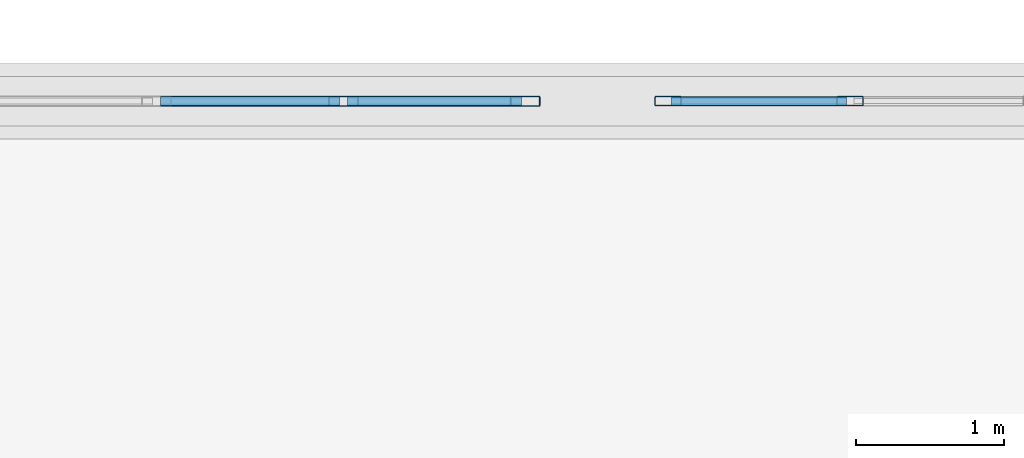
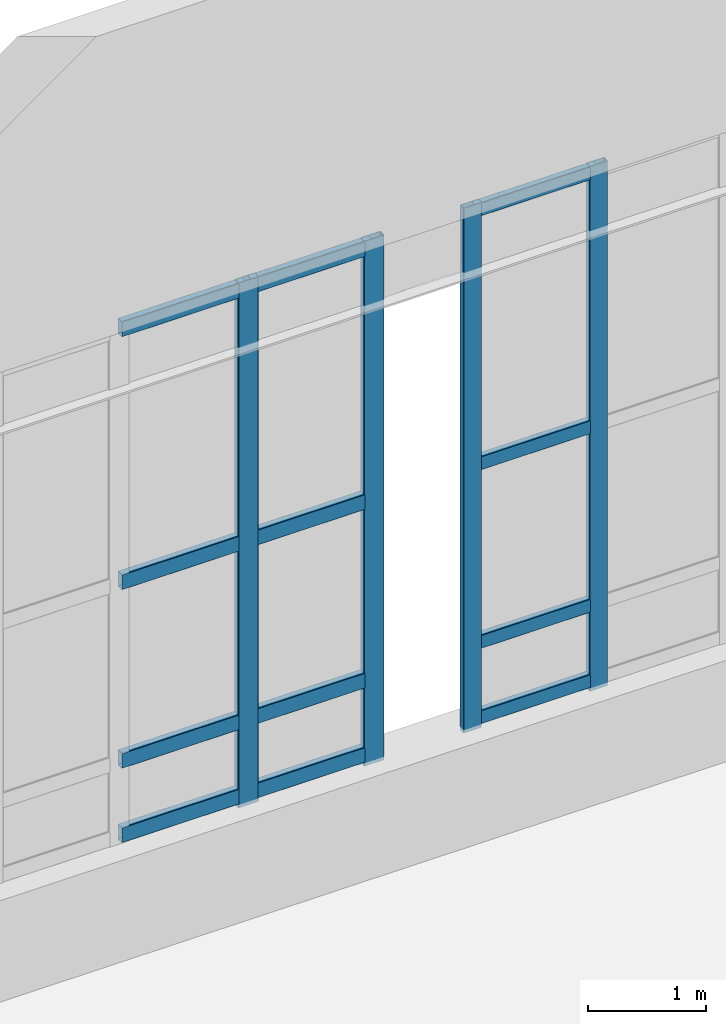
# One storey, part 149 of 197: 16 members, 2 elements without a shape of their own.
"""IFC4 building model written with IfcOpenShell, lengths in metres."""

from ifc_helpers import new_model, si_unit, derived_unit, direction, frame, origin, origin_2d, place, context, subcontext, project, spatial, hollow_rectangle, extrude, material, layer, layer_set, material_profile, profile_set, type_object, element, aggregate, save


model = new_model("IFC4")

# Units and contexts
model_context = context("Model", 3, precision=1e-05, world=origin(), true_north=direction((0.0, 1.0)))
body_context = subcontext(model_context, "Body", "Model", "MODEL_VIEW")
ifc_project = project(units=[si_unit("LENGTHUNIT", "METRE"), si_unit("AREAUNIT", "SQUARE_METRE"), si_unit("VOLUMEUNIT", "CUBIC_METRE"), si_unit("PLANEANGLEUNIT", "RADIAN"), si_unit("MASSUNIT", "GRAM", prefix="KILO"), derived_unit("THERMALTRANSMITTANCEUNIT", [(si_unit("POWERUNIT", "WATT"), 1), (si_unit("LENGTHUNIT", "METRE"), -2), (si_unit("THERMODYNAMICTEMPERATUREUNIT", "KELVIN"), -1)])], contexts=[model_context])

# Site, building, storey
site_placement = place(None, origin())
site = spatial("IfcSite", under=ifc_project, at=site_placement, CompositionType="ELEMENT")
building_placement = place(site_placement, origin())
building = spatial("IfcBuilding", under=site, at=building_placement, Name="Almenara Railside Exhibition Hall", CompositionType="ELEMENT")
storey_placement = place(building_placement, frame((0.0, 0.0, 5.39990234375)))
storey = spatial("IfcBuildingStorey", under=building, at=storey_placement, Name="L01", CompositionType="ELEMENT", Elevation=5.39990234375)

# Curtain wall, members
ifc_material_1 = material(Name="Bronze-anodised aluminium and low-E double glazing", Category="aluminium")
ifc_layer = layer(ifc_material_1, 0.179931640625, Name="Bronze-anodised aluminium and low-E double glazing")
ifc_layer_set = layer_set([ifc_layer], Name="Bronze-anodised aluminium and low-E double glazing")
curtain_wall_type = type_object("IfcCurtainWallType", Name="Scroll Gable Tall Curtain Wall 3800x5400", PredefinedType="NOTDEFINED", material=ifc_layer_set)
curtain_wall_1_placement = place(storey_placement, origin())
curtain_wall_1 = element("IfcCurtainWall", 1, at=curtain_wall_1_placement, inside=storey, type_object=curtain_wall_type, Name="Curtain wall CW-G1-089", PredefinedType="NOTDEFINED")
ifc_material_2 = material(Name="Bronze-anodised aluminium", Category="aluminium")
ifc_material_profile_1 = material_profile(ifc_material_2, hollow_rectangle(XDim=0.06494140625, YDim=0.179931640625, WallThickness=0.00390625, InnerFilletRadius=0.00390625, OuterFilletRadius=0.008056640625, at=origin_2d()), Name="ALU-MUL 65x180x4")
ifc_profile_set_1 = profile_set([ifc_material_profile_1], Name="Bronze-anodised aluminium")
member_type_1 = type_object("IfcMemberType", Name="Curtain Wall Mullion 65x180x4", PredefinedType="MULLION", material=ifc_profile_set_1)
member_1_placement = place(storey_placement, frame((163.532470703125, 132.0, 1.01513671875), z_axis=(0.0, 0.0, 1.0), x_axis=(0.0, 1.0, 0.0)))
member_1 = element("IfcMember", 2, at=member_1_placement, type_object=member_type_1, Name="CW-G1-089 mullion 1", PredefinedType="MULLION", context=body_context, shape_type="SweptSolid", body=[
    extrude(hollow_rectangle(XDim=0.06494140625, YDim=0.179931640625, WallThickness=0.00390625, InnerFilletRadius=0.00390625, OuterFilletRadius=0.008056640625, at=origin_2d()), origin(), (0.0, 0.0, 1.0), 5.43505859375),
])
member_2_placement = place(storey_placement, frame((164.7666015625, 132.0, 1.01513671875), z_axis=(0.0, 0.0, 1.0), x_axis=(0.0, 1.0, 0.0)))
member_2 = element("IfcMember", 3, at=member_2_placement, type_object=member_type_1, Name="CW-G1-089 mullion 2", PredefinedType="MULLION", context=body_context, shape_type="SweptSolid", body=[
    extrude(hollow_rectangle(XDim=0.06494140625, YDim=0.179931640625, WallThickness=0.00390625, InnerFilletRadius=0.00390625, OuterFilletRadius=0.008056640625, at=origin_2d()), origin(), (0.0, 0.0, 1.0), 5.43505859375),
])

curtain_wall_2_placement = place(storey_placement, origin())
curtain_wall_2 = element("IfcCurtainWall", 4, at=curtain_wall_2_placement, inside=storey, type_object=curtain_wall_type, Name="Curtain wall CW-G1-088", PredefinedType="NOTDEFINED")
ifc_material_profile_2 = material_profile(ifc_material_2, hollow_rectangle(XDim=0.070068359375, YDim=0.199951171875, WallThickness=0.00439453125, InnerFilletRadius=0.00439453125, OuterFilletRadius=0.009033203125, at=origin_2d()), Name="ALU-MUL 70x200x4.5")
ifc_profile_set_2 = profile_set([ifc_material_profile_2], Name="Bronze-anodised aluminium")
member_type_2 = type_object("IfcMemberType", Name="Curtain Wall Mullion 70x200x4.5", PredefinedType="MULLION", material=ifc_profile_set_2)
member_3_placement = place(storey_placement, frame((161.333251953125, 132.0, 1.01513671875), z_axis=(0.0, 0.0, 1.0), x_axis=(0.0, 1.0, 0.0)))
member_3 = element("IfcMember", 5, at=member_3_placement, type_object=member_type_2, Name="CW-G1-088 mullion 3", PredefinedType="MULLION", context=body_context, shape_type="SweptSolid", body=[
    extrude(hollow_rectangle(XDim=0.070068359375, YDim=0.199951171875, WallThickness=0.00439453125, InnerFilletRadius=0.00439453125, OuterFilletRadius=0.009033203125, at=origin_2d()), origin(), (0.0, 0.0, 1.0), 5.43505859375),
])
member_4_placement = place(storey_placement, frame((162.56494140625, 132.0, 1.01513671875), z_axis=(0.0, 0.0, 1.0), x_axis=(0.0, 1.0, 0.0)))
member_4 = element("IfcMember", 6, at=member_4_placement, type_object=member_type_2, Name="CW-G1-088 mullion 4", PredefinedType="MULLION", context=body_context, shape_type="SweptSolid", body=[
    extrude(hollow_rectangle(XDim=0.070068359375, YDim=0.199951171875, WallThickness=0.00439453125, InnerFilletRadius=0.00439453125, OuterFilletRadius=0.009033203125, at=origin_2d()), origin(), (0.0, 0.0, 1.0), 5.43505859375),
])

# Member
ifc_material_profile_3 = material_profile(ifc_material_2, hollow_rectangle(XDim=0.06494140625, YDim=0.139892578125, WallThickness=0.00341796875, InnerFilletRadius=0.00341796875, OuterFilletRadius=0.007080078125, at=origin_2d()), Name="ALU-TRN 65x140x3.5")
ifc_profile_set_3 = profile_set([ifc_material_profile_3], Name="Bronze-anodised aluminium")
member_type_3 = type_object("IfcMemberType", Name="Curtain Wall Transom 65x140x3.5", PredefinedType="USERDEFINED", material=ifc_profile_set_3)
member_5_placement = place(storey_placement, frame((163.556884765625, 132.0, 1.1201171875), z_axis=(1.0, 0.0, 0.0), x_axis=(0.0, 1.0, 0.0)))
member_5 = element("IfcMember", 7, at=member_5_placement, type_object=member_type_3, Name="CW-G1-089 transom 1.1", ObjectType="TRANSOM", PredefinedType="USERDEFINED", context=body_context, shape_type="SweptSolid", body=[
    extrude(hollow_rectangle(XDim=0.06494140625, YDim=0.139892578125, WallThickness=0.00341796875, InnerFilletRadius=0.00341796875, OuterFilletRadius=0.007080078125, at=origin_2d()), origin(), (0.0, 0.0, 1.0), 1.185302734375),
])

member_6_placement = place(storey_placement, frame((163.556884765625, 132.0, 1.900146484375), z_axis=(1.0, 0.0, 0.0), x_axis=(0.0, 1.0, 0.0)))
member_6 = element("IfcMember", 8, at=member_6_placement, type_object=member_type_3, Name="CW-G1-089 transom 1.2", ObjectType="TRANSOM", PredefinedType="USERDEFINED", context=body_context, shape_type="SweptSolid", body=[
    extrude(hollow_rectangle(XDim=0.06494140625, YDim=0.139892578125, WallThickness=0.00341796875, InnerFilletRadius=0.00341796875, OuterFilletRadius=0.007080078125, at=origin_2d()), origin(), (0.0, 0.0, 1.0), 1.185302734375),
])

member_7_placement = place(storey_placement, frame((163.556884765625, 132.0, 3.75), z_axis=(1.0, 0.0, 0.0), x_axis=(0.0, 1.0, 0.0)))
member_7 = element("IfcMember", 9, at=member_7_placement, type_object=member_type_3, Name="CW-G1-089 transom 1.3", ObjectType="TRANSOM", PredefinedType="USERDEFINED", context=body_context, shape_type="SweptSolid", body=[
    extrude(hollow_rectangle(XDim=0.06494140625, YDim=0.139892578125, WallThickness=0.00341796875, InnerFilletRadius=0.00341796875, OuterFilletRadius=0.007080078125, at=origin_2d()), origin(), (0.0, 0.0, 1.0), 1.185302734375),
])

member_8_placement = place(storey_placement, frame((163.556884765625, 132.0, 6.380126953125), z_axis=(1.0, 0.0, 0.0), x_axis=(0.0, 1.0, 0.0)))
member_8 = element("IfcMember", 10, at=member_8_placement, type_object=member_type_3, Name="CW-G1-089 transom 1.4", ObjectType="TRANSOM", PredefinedType="USERDEFINED", context=body_context, shape_type="SweptSolid", body=[
    extrude(hollow_rectangle(XDim=0.06494140625, YDim=0.139892578125, WallThickness=0.00341796875, InnerFilletRadius=0.00341796875, OuterFilletRadius=0.007080078125, at=origin_2d()), origin(), (0.0, 0.0, 1.0), 1.185302734375),
])

aggregate(curtain_wall_1, [member_1, member_2, member_5, member_6, member_7, member_8])

ifc_material_profile_4 = material_profile(ifc_material_2, hollow_rectangle(XDim=0.070068359375, YDim=0.159912109375, WallThickness=0.00390625, InnerFilletRadius=0.00390625, OuterFilletRadius=0.008056640625, at=origin_2d()), Name="ALU-TRN 70x160x4")
ifc_profile_set_4 = profile_set([ifc_material_profile_4], Name="Bronze-anodised aluminium")
member_type_4 = type_object("IfcMemberType", Name="Curtain Wall Transom 70x160x4", PredefinedType="USERDEFINED", material=ifc_profile_set_4)
member_9_placement = place(storey_placement, frame((160.09375, 132.0, 1.130126953125), z_axis=(1.0, 0.0, 0.0), x_axis=(0.0, 1.0, 0.0)))
member_9 = element("IfcMember", 11, at=member_9_placement, type_object=member_type_4, Name="CW-G1-088 transom 2.1", ObjectType="TRANSOM", PredefinedType="USERDEFINED", context=body_context, shape_type="SweptSolid", body=[
    extrude(hollow_rectangle(XDim=0.070068359375, YDim=0.159912109375, WallThickness=0.00390625, InnerFilletRadius=0.00390625, OuterFilletRadius=0.008056640625, at=origin_2d()), origin(), (0.0, 0.0, 1.0), 1.212646484375),
])

member_10_placement = place(storey_placement, frame((160.09375, 132.0, 1.900146484375), z_axis=(1.0, 0.0, 0.0), x_axis=(0.0, 1.0, 0.0)))
member_10 = element("IfcMember", 12, at=member_10_placement, type_object=member_type_4, Name="CW-G1-088 transom 2.2", ObjectType="TRANSOM", PredefinedType="USERDEFINED", context=body_context, shape_type="SweptSolid", body=[
    extrude(hollow_rectangle(XDim=0.070068359375, YDim=0.159912109375, WallThickness=0.00390625, InnerFilletRadius=0.00390625, OuterFilletRadius=0.008056640625, at=origin_2d()), origin(), (0.0, 0.0, 1.0), 1.212646484375),
])

member_11_placement = place(storey_placement, frame((160.09375, 132.0, 3.75), z_axis=(1.0, 0.0, 0.0), x_axis=(0.0, 1.0, 0.0)))
member_11 = element("IfcMember", 13, at=member_11_placement, type_object=member_type_4, Name="CW-G1-088 transom 2.3", ObjectType="TRANSOM", PredefinedType="USERDEFINED", context=body_context, shape_type="SweptSolid", body=[
    extrude(hollow_rectangle(XDim=0.070068359375, YDim=0.159912109375, WallThickness=0.00390625, InnerFilletRadius=0.00390625, OuterFilletRadius=0.008056640625, at=origin_2d()), origin(), (0.0, 0.0, 1.0), 1.212646484375),
])

member_12_placement = place(storey_placement, frame((160.09375, 132.0, 6.3701171875), z_axis=(1.0, 0.0, 0.0), x_axis=(0.0, 1.0, 0.0)))
member_12 = element("IfcMember", 14, at=member_12_placement, type_object=member_type_4, Name="CW-G1-088 transom 2.4", ObjectType="TRANSOM", PredefinedType="USERDEFINED", context=body_context, shape_type="SweptSolid", body=[
    extrude(hollow_rectangle(XDim=0.070068359375, YDim=0.159912109375, WallThickness=0.00390625, InnerFilletRadius=0.00390625, OuterFilletRadius=0.008056640625, at=origin_2d()), origin(), (0.0, 0.0, 1.0), 1.212646484375),
])

member_13_placement = place(storey_placement, frame((161.3603515625, 132.0, 1.130126953125), z_axis=(1.0, 0.0, 0.0), x_axis=(0.0, 1.0, 0.0)))
member_13 = element("IfcMember", 15, at=member_13_placement, type_object=member_type_4, Name="CW-G1-088 transom 3.1", ObjectType="TRANSOM", PredefinedType="USERDEFINED", context=body_context, shape_type="SweptSolid", body=[
    extrude(hollow_rectangle(XDim=0.070068359375, YDim=0.159912109375, WallThickness=0.00390625, InnerFilletRadius=0.00390625, OuterFilletRadius=0.008056640625, at=origin_2d()), origin(), (0.0, 0.0, 1.0), 1.177734375),
])

member_14_placement = place(storey_placement, frame((161.3603515625, 132.0, 1.900146484375), z_axis=(1.0, 0.0, 0.0), x_axis=(0.0, 1.0, 0.0)))
member_14 = element("IfcMember", 16, at=member_14_placement, type_object=member_type_4, Name="CW-G1-088 transom 3.2", ObjectType="TRANSOM", PredefinedType="USERDEFINED", context=body_context, shape_type="SweptSolid", body=[
    extrude(hollow_rectangle(XDim=0.070068359375, YDim=0.159912109375, WallThickness=0.00390625, InnerFilletRadius=0.00390625, OuterFilletRadius=0.008056640625, at=origin_2d()), origin(), (0.0, 0.0, 1.0), 1.177734375),
])

member_15_placement = place(storey_placement, frame((161.3603515625, 132.0, 3.75), z_axis=(1.0, 0.0, 0.0), x_axis=(0.0, 1.0, 0.0)))
member_15 = element("IfcMember", 17, at=member_15_placement, type_object=member_type_4, Name="CW-G1-088 transom 3.3", ObjectType="TRANSOM", PredefinedType="USERDEFINED", context=body_context, shape_type="SweptSolid", body=[
    extrude(hollow_rectangle(XDim=0.070068359375, YDim=0.159912109375, WallThickness=0.00390625, InnerFilletRadius=0.00390625, OuterFilletRadius=0.008056640625, at=origin_2d()), origin(), (0.0, 0.0, 1.0), 1.177734375),
])

member_16_placement = place(storey_placement, frame((161.3603515625, 132.0, 6.3701171875), z_axis=(1.0, 0.0, 0.0), x_axis=(0.0, 1.0, 0.0)))
member_16 = element("IfcMember", 18, at=member_16_placement, type_object=member_type_4, Name="CW-G1-088 transom 3.4", ObjectType="TRANSOM", PredefinedType="USERDEFINED", context=body_context, shape_type="SweptSolid", body=[
    extrude(hollow_rectangle(XDim=0.070068359375, YDim=0.159912109375, WallThickness=0.00390625, InnerFilletRadius=0.00390625, OuterFilletRadius=0.008056640625, at=origin_2d()), origin(), (0.0, 0.0, 1.0), 1.177734375),
])

aggregate(curtain_wall_2, [member_3, member_4, member_9, member_10, member_11, member_12, member_13, member_14, member_15, member_16])

save(model, "model.ifc")
